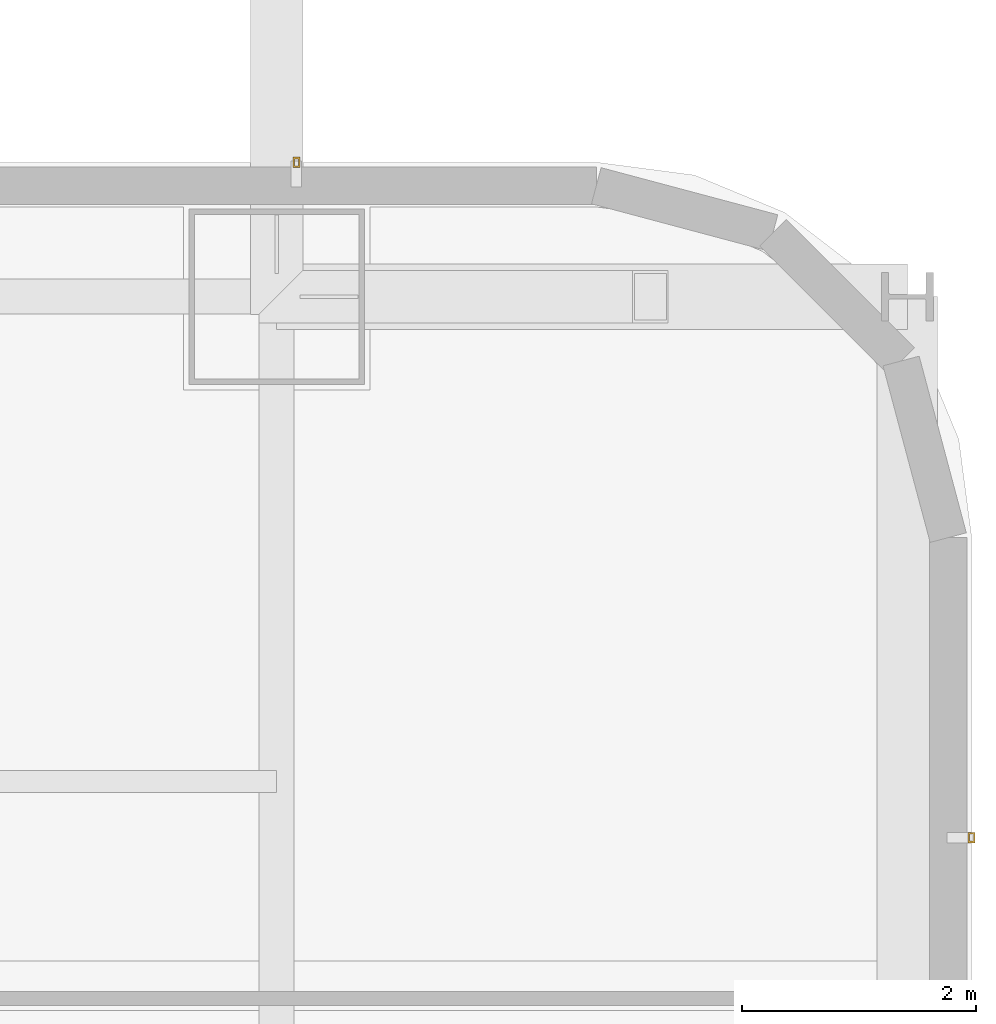
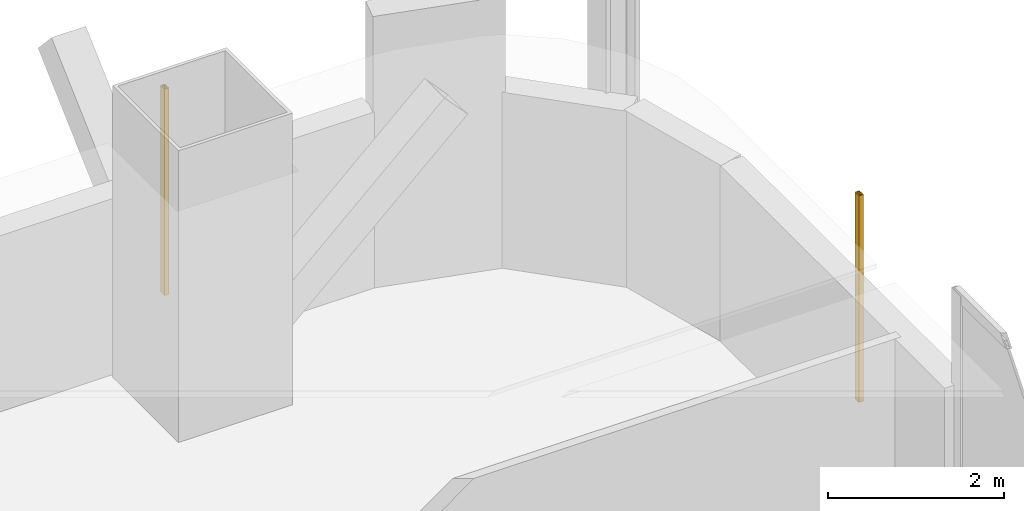
# One storey, part 42 of 42: 2 shading devices.
"""IFC4 building model written with IfcOpenShell, lengths in metres."""

import ifcopenshell
import ifcopenshell.guid

model = None  # the IFC model being written
_history = None  # IfcOwnerHistory: only IFC2X3 demands one
_inside = {}  # id of a spatial element -> (the spatial element, [elements in it])
_under = {}  # id of a project, library or spatial element -> (it, [spatial elements below it])
_declared = {}  # id of a project -> (the project, [libraries it declares])
_typed = {}  # id of a type object -> (the type object, [elements of that type])
_made_of = {}  # id of a material, layer set ... -> (it, [elements and type objects made of it])


def new_model(schema):
    """Start an empty IFC model of exactly this schema.

    Asked for "IFC4X3", IfcOpenShell would pick the latest addendum, in which some entities
    have other attributes; the version numbers below select the first issue.
    IFC2X3 requires an IfcOwnerHistory on every rooted entity: one is made here for all.
    """
    global model, _history
    if schema == "IFC4X3":
        model = ifcopenshell.file(schema_version=(4, 3, 0, 0))
    else:
        model = ifcopenshell.file(schema=schema)
    _inside.clear()
    _under.clear()
    _declared.clear()
    _typed.clear()
    _made_of.clear()
    _history = None
    if model.schema == "IFC2X3":
        org = make("IfcOrganization", Name="unknown")
        user = make(
            "IfcPersonAndOrganization",
            ThePerson=make("IfcPerson", FamilyName="unknown"),
            TheOrganization=org,
        )
        app = make(
            "IfcApplication",
            ApplicationDeveloper=org,
            Version="unknown",
            ApplicationFullName="unknown",
            ApplicationIdentifier="unknown",
        )
        _history = make(
            "IfcOwnerHistory",
            OwningUser=user,
            OwningApplication=app,
            ChangeAction="ADDED",
            CreationDate=0,
        )
    return model


def make(cls, **values):
    """One entity of the class cls with the attributes given. An attribute that is None is left unset."""
    return model.create_entity(
        cls, **{name: value for name, value in values.items() if value is not None}
    )


def rooted(cls, **values):
    """An entity with a GlobalId (a new one), such as an element, a storey or a relation."""
    return make(cls, GlobalId=ifcopenshell.guid.new(), OwnerHistory=_history, **values)


def si_unit(unit_type, name, prefix=None):
    """IfcSIUnit, for example si_unit("LENGTHUNIT", "METRE", prefix="MILLI")."""
    return make("IfcSIUnit", UnitType=unit_type, Prefix=prefix, Name=name)


def assignment(units):
    """IfcUnitAssignment: the units of a project."""
    return None if units is None else make("IfcUnitAssignment", Units=units)


def point(xyz):
    """IfcCartesianPoint."""
    return None if xyz is None else make("IfcCartesianPoint", Coordinates=xyz)


def direction(xyz):
    """IfcDirection."""
    return None if xyz is None else make("IfcDirection", DirectionRatios=xyz)


def frame(location, z_axis=None, x_axis=None):
    """IfcAxis2Placement3D, a coordinate frame: its origin and axes. An axis left out is left unset."""
    return make(
        "IfcAxis2Placement3D",
        Location=point(location),
        Axis=direction(z_axis),
        RefDirection=direction(x_axis),
    )


def frame_2d(location, x_axis=None):
    """IfcAxis2Placement2D, a coordinate frame in the plane: its origin and x axis."""
    return make(
        "IfcAxis2Placement2D", Location=point(location), RefDirection=direction(x_axis)
    )


def origin():
    """The frame at (0, 0, 0) with its axes left unset."""
    return frame((0.0, 0.0, 0.0))


def origin_2d():
    """The frame at (0, 0) in the plane with its x axis left unset."""
    return frame_2d((0.0, 0.0))


def place(relative_to, where):
    """IfcLocalPlacement: puts the frame where relative to a parent placement (None: the world)."""
    return make(
        "IfcLocalPlacement", PlacementRelTo=relative_to, RelativePlacement=where
    )


def context(
    kind, dimensions, precision=None, world=None, true_north=None, identifier=None
):
    """IfcGeometricRepresentationContext, for example the 3D "Model" context."""
    return make(
        "IfcGeometricRepresentationContext",
        ContextIdentifier=identifier,
        ContextType=kind,
        CoordinateSpaceDimension=dimensions,
        Precision=precision,
        WorldCoordinateSystem=world,
        TrueNorth=true_north,
    )


def subcontext(parent, identifier, kind, view, scale=None):
    """IfcGeometricRepresentationSubContext, for example "Body" below "Model"."""
    return make(
        "IfcGeometricRepresentationSubContext",
        ContextIdentifier=identifier,
        ContextType=kind,
        ParentContext=parent,
        TargetScale=scale,
        TargetView=view,
    )


def project(units=None, contexts=None):
    """IfcProject with its units and contexts."""
    return rooted(
        "IfcProject",
        Name="project",
        RepresentationContexts=contexts,
        UnitsInContext=assignment(units),
    )


def spatial(cls, under=None, at=None, **own):
    """A site, building, storey or space (cls), placed at a placement, below another one or the project."""
    s = rooted(cls, ObjectPlacement=at, **own)
    if under is not None:
        _under.setdefault(under.id(), (under, []))[1].append(s)
    return s


def profile(cls, at=None, kind="AREA", **sizes):
    """A parametric profile (cls). Its sizes go by their IFC names, for example OverallWidth=200.0."""
    return make(cls, ProfileType=kind, Position=at, **sizes)


def hollow_rectangle(**sizes):
    """IfcRectangleHollowProfileDef."""
    return profile("IfcRectangleHollowProfileDef", **sizes)


def extrude(swept, where, along, depth):
    """IfcExtrudedAreaSolid: the profile swept, set in the frame where, extruded along a direction by depth."""
    return make(
        "IfcExtrudedAreaSolid",
        SweptArea=swept,
        Position=where,
        ExtrudedDirection=direction(along),
        Depth=depth,
    )


def shape(context_of_items, identifier, shape_type, items):
    """IfcShapeRepresentation: the items that make up one representation, for example the "Body"."""
    return make(
        "IfcShapeRepresentation",
        ContextOfItems=context_of_items,
        RepresentationIdentifier=identifier,
        RepresentationType=shape_type,
        Items=items,
    )


def material(Name=None, Category=None):
    """IfcMaterial."""
    return make("IfcMaterial", Name=Name, Category=Category)


def material_profile(
    of_material, cross_section, Name=None, Category=None, Priority=None
):
    """IfcMaterialProfile: a cross section and its material."""
    return make(
        "IfcMaterialProfile",
        Name=Name,
        Material=of_material,
        Profile=cross_section,
        Priority=Priority,
        Category=Category,
    )


def profile_set(profiles, Name=None, composite=None):
    """IfcMaterialProfileSet."""
    return make(
        "IfcMaterialProfileSet",
        Name=Name,
        MaterialProfiles=profiles,
        CompositeProfile=composite,
    )


def made_of(thing, what):
    """Note that an element or type object is made of a material, layer set ...; save() writes the relation."""
    if what is not None:
        _made_of.setdefault(what.id(), (what, []))[1].append(thing)
    return thing


def type_object(cls, material=None, **own):
    """A type object (cls), such as IfcWallType, which elements share."""
    return made_of(rooted(cls, **own), material)


def element(
    cls,
    number,
    at=None,
    inside=None,
    cuts=None,
    type_object=None,
    material=None,
    context=None,
    identifier="Body",
    shape_type=None,
    held_by="IfcProductDefinitionShape",
    body=None,
    shapes=None,
    **own,
):
    """One element of the class cls, such as IfcWall. Its Tag is "e" and its number.

    at: its placement. inside: the storey or other place that contains it. cuts: it is an
    opening in that element (IfcRelVoidsElement). A single representation is given by context,
    identifier, shape_type and body (its items); several are given by shapes. held_by: the class
    of the entity that holds the representations. save() writes the other relations.
    """
    e = rooted(cls, Tag="e%d" % number, ObjectPlacement=at, **own)
    if body is not None:
        shapes = [shape(context, identifier, shape_type, body)]
    if shapes is not None:
        e.Representation = make(held_by, Representations=shapes)
    if inside is not None:
        _inside.setdefault(inside.id(), (inside, []))[1].append(e)
    if cuts is not None:
        rooted(
            "IfcRelVoidsElement", RelatingBuildingElement=cuts, RelatedOpeningElement=e
        )
    if type_object is not None:
        _typed.setdefault(type_object.id(), (type_object, []))[1].append(e)
    return made_of(e, material)


def aggregate(whole, parts):
    """IfcRelAggregates: a whole, such as a stair, and the parts it consists of."""
    return rooted("IfcRelAggregates", RelatingObject=whole, RelatedObjects=parts)


def save(model, path):
    """Write the relations noted so far, then the file.

    IfcRelAggregates (storeys below a building ...), IfcRelContainedInSpatialStructure (elements
    in a storey), IfcRelDefinesByType, IfcRelAssociatesMaterial and IfcRelDeclares: one each for
    every whole, place, type object, material and project.
    """
    for whole, parts in _under.values():
        aggregate(whole, parts)
    for where, things in _inside.values():
        rooted(
            "IfcRelContainedInSpatialStructure",
            RelatedElements=things,
            RelatingStructure=where,
        )
    for kind, things in _typed.values():
        rooted("IfcRelDefinesByType", RelatedObjects=things, RelatingType=kind)
    for what, things in _made_of.values():
        rooted("IfcRelAssociatesMaterial", RelatedObjects=things, RelatingMaterial=what)
    for by, libraries in _declared.values():
        rooted("IfcRelDeclares", RelatingContext=by, RelatedDefinitions=libraries)
    model.write(path)


model = new_model("IFC4")

# Units and contexts
model_context = context("Model", 3, precision=1e-05, world=origin(), true_north=direction((0.0, 1.0)))
body_context = subcontext(model_context, "Body", "Model", "MODEL_VIEW")
ifc_project = project(units=[si_unit("LENGTHUNIT", "METRE"), si_unit("AREAUNIT", "SQUARE_METRE"), si_unit("VOLUMEUNIT", "CUBIC_METRE"), si_unit("PLANEANGLEUNIT", "RADIAN"), si_unit("MASSUNIT", "GRAM", prefix="KILO")], contexts=[model_context])

# Site, building, storey
site_placement = place(None, origin())
site = spatial("IfcSite", under=ifc_project, at=site_placement, CompositionType="ELEMENT")
building_placement = place(site_placement, origin())
building = spatial("IfcBuilding", under=site, at=building_placement, Name="Punatoya Terracotta Tower", CompositionType="ELEMENT")
storey_placement = place(building_placement, frame((0.0, 0.0, 88.949951171875)))
storey = spatial("IfcBuildingStorey", under=building, at=storey_placement, Name="L20", CompositionType="ELEMENT", Elevation=88.949951171875)

# Shading devices
ifc_material = material(Name="Architectural Fired Terracotta", Category="masonry")
ifc_material_profile = material_profile(ifc_material, hollow_rectangle(XDim=0.06005859375, YDim=0.090087890625, WallThickness=0.013916015625, at=origin_2d()))
ifc_profile_set = profile_set([ifc_material_profile], Name="Architectural Fired Terracotta")
shading_device_type = type_object("IfcShadingDeviceType", Name="SHD-JALI-90", PredefinedType="JALOUSIE", material=ifc_profile_set)
for number, where, z_axis, x_axis, name in (
    (1, (25.050048828125, 12.868408203125, 0.60009765625), (0.0, 0.0, 1.0), (1.0, 0.0, 0.0), "L20 Braced Bay Terracotta Jali Fin E2"),
    (2, (19.2685546875, 18.64990234375, 0.60009765625), (0.0, 0.0, 1.0), (1.0, 0.0, 0.0), "L20 Braced Bay Terracotta Jali Fin N1"),
):
    element("IfcShadingDevice", number, at=place(storey_placement, frame(where, z_axis=z_axis, x_axis=x_axis)), inside=storey, type_object=shading_device_type, Name=name, PredefinedType="JALOUSIE", context=body_context, shape_type="SweptSolid", body=[
        extrude(hollow_rectangle(XDim=0.06005859375, YDim=0.090087890625, WallThickness=0.013916015625, at=origin_2d()), origin(), (0.0, 0.0, 1.0), 2.869873046875),
    ])

save(model, "model.ifc")
